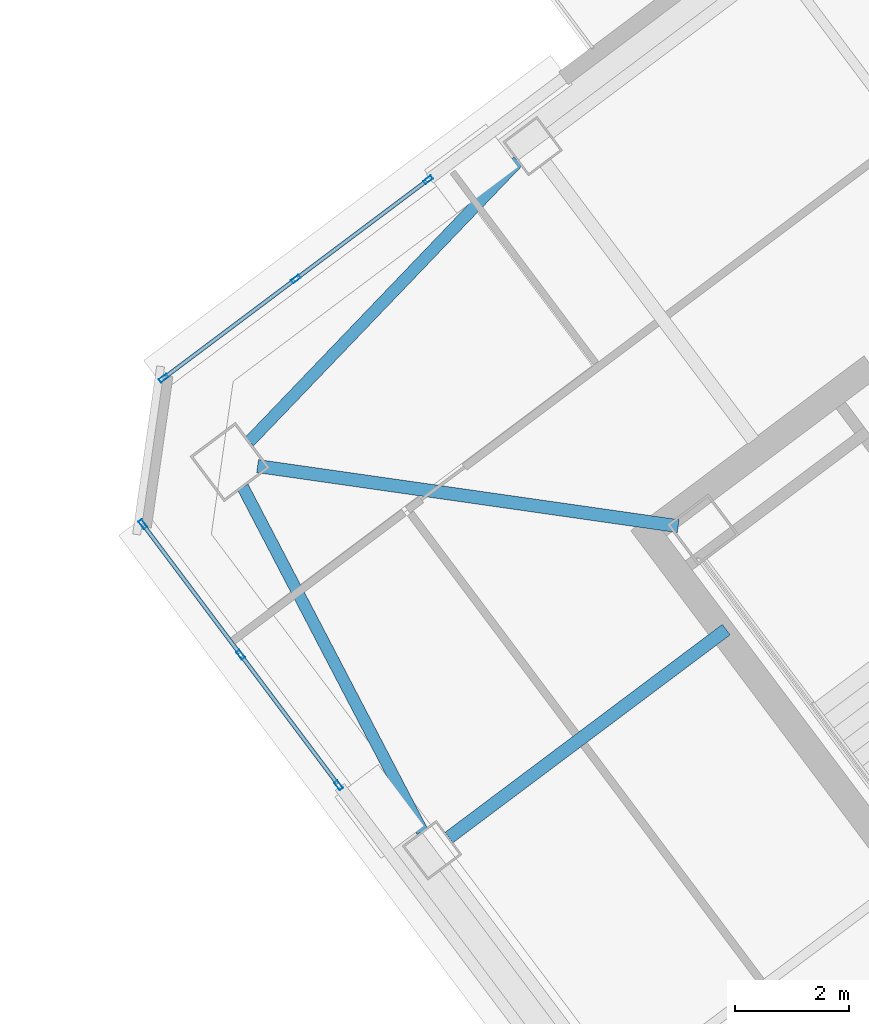
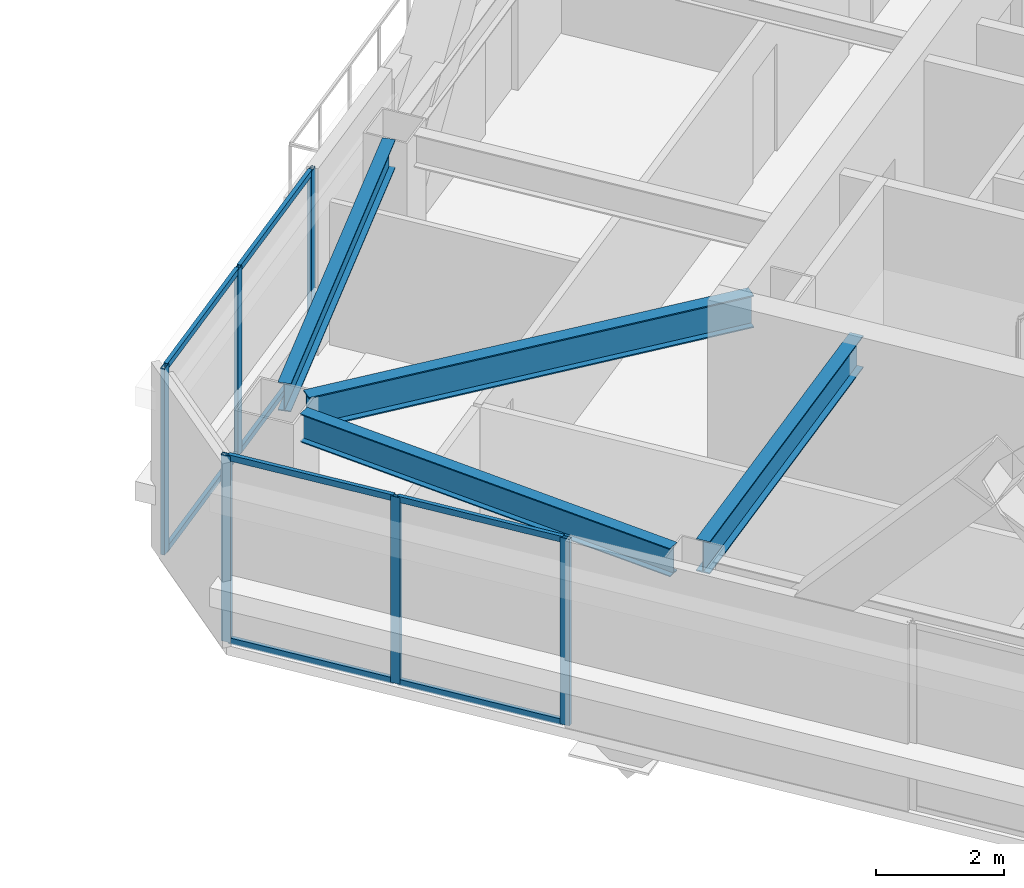
# One storey, part 21 of 39: 14 members, 4 beams, 2 elements without a shape of their own.
"""IFC4 building model written with IfcOpenShell, lengths in metres."""

from ifc_helpers import new_model, si_unit, direction, frame, origin, origin_2d, place, context, subcontext, project, spatial, hollow_rectangle, i_section, extrude, material, material_profile, profile_set, type_object, element, aggregate, save


model = new_model("IFC4")

# Units and contexts
model_context = context("Model", 3, precision=1e-05, world=origin(), true_north=direction((0.0, 1.0)))
body_context = subcontext(model_context, "Body", "Model", "MODEL_VIEW")
ifc_project = project(units=[si_unit("LENGTHUNIT", "METRE"), si_unit("AREAUNIT", "SQUARE_METRE"), si_unit("VOLUMEUNIT", "CUBIC_METRE"), si_unit("PLANEANGLEUNIT", "RADIAN"), si_unit("MASSUNIT", "GRAM", prefix="KILO")], contexts=[model_context])

# Site, building, storey
site_placement = place(None, origin())
site = spatial("IfcSite", under=ifc_project, at=site_placement, CompositionType="ELEMENT")
building_placement = place(site_placement, origin())
building = spatial("IfcBuilding", under=site, at=building_placement, Name="Tashvorn Skyway Center", CompositionType="ELEMENT")
storey_placement = place(building_placement, frame((0.0, 0.0, 239.699951171875)))
storey = spatial("IfcBuildingStorey", under=building, at=storey_placement, Name="L65", CompositionType="ELEMENT", Elevation=239.699951171875)

# Beams
ifc_material_1 = material(Name="Steel ASTM A992 Grade 50", Category="steel")
ifc_material_profile_1 = material_profile(ifc_material_1, i_section(OverallWidth=0.22998046875, OverallDepth=0.616943359375, WebThickness=0.01318359375, FlangeThickness=0.022216796875, at=origin_2d()), Name="W24X94")
ifc_profile_set_1 = profile_set([ifc_material_profile_1], Name="Steel ASTM A992 Grade 50")
beam_type_1 = type_object("IfcBeamType", Name="BM-BEAM-W24X94", PredefinedType="BEAM", material=ifc_profile_set_1)
beam_1_placement = place(storey_placement, frame((96.2900390625, 34.530029296875, 3.0615234375), z_axis=(0.989948187102, -0.141430501853, 0.0), x_axis=(0.141430501853, 0.989948187102, 0.0)))
element("IfcBeam", 1, at=beam_1_placement, inside=storey, type_object=beam_type_1, Name="Tower 2 L65 Primary Floor Girder MC-NW", PredefinedType="BEAM", context=body_context, shape_type="SweptSolid", body=[
    extrude(i_section(OverallWidth=0.22998046875, OverallDepth=0.616943359375, WebThickness=0.01318359375, FlangeThickness=0.022216796875, at=origin_2d()), origin(), (0.0, 0.0, 1.0), 7.474609375),
])
beam_2_placement = place(storey_placement, frame((99.656005859375, 27.991943359375, 3.0615234375), z_axis=(0.799980788524, 0.600025614447, 0.0), x_axis=(-0.600025614447, 0.799980788524, 0.0)))
element("IfcBeam", 2, at=beam_2_placement, inside=storey, type_object=beam_type_1, Name="Tower 2 L65 Primary Floor Girder FC-W1", PredefinedType="BEAM", context=body_context, shape_type="SweptSolid", body=[
    extrude(i_section(OverallWidth=0.22998046875, OverallDepth=0.616943359375, WebThickness=0.01318359375, FlangeThickness=0.022216796875, at=origin_2d()), origin(), (0.0, 0.0, 1.0), 6.10009765625),
])
ifc_material_profile_2 = material_profile(ifc_material_1, i_section(OverallWidth=0.2109375, OverallDepth=0.5390625, WebThickness=0.01171875, FlangeThickness=0.018798828125, at=origin_2d()), Name="W21X73")
ifc_profile_set_2 = profile_set([ifc_material_profile_2], Name="Steel ASTM A992 Grade 50")
beam_type_2 = type_object("IfcBeamType", Name="BM-SPANDREL-W21X73", PredefinedType="SPANDREL", material=ifc_profile_set_2)
for number, where, z_axis, x_axis, name in (
    (3, (100.8740234375, 39.892822265625, 3.1005859375), (-0.69202323926, -0.72187522213, 0.0), (0.72187522213, -0.69202323926, 0.0), "Tower 2 L65 Spandrel Beam 09"),
    (4, (96.02880859375, 34.1611328125, 3.1005859375), (0.462204749472, -0.886773234579, 0.0), (0.886773234579, 0.462204749472, 0.0), "Tower 2 L65 Spandrel Beam 10"),
):
    element("IfcBeam", number, at=place(storey_placement, frame(where, z_axis=z_axis, x_axis=x_axis)), inside=storey, type_object=beam_type_2, Name=name, PredefinedType="SPANDREL", context=body_context, shape_type="SweptSolid", body=[
        extrude(i_section(OverallWidth=0.2109375, OverallDepth=0.5390625, WebThickness=0.01171875, FlangeThickness=0.018798828125, at=origin_2d()), origin(), (0.0, 0.0, 1.0), 6.837158203125),
    ])

# Curtain wall, members
ifc_material_2 = material(Name="Thermally broken bronze-anodized aluminium 6063-T6", Category="aluminium")
curtain_wall_type = type_object("IfcCurtainWallType", Name="CW-CW-Z5", PredefinedType="NOTDEFINED", material=ifc_material_2)
curtain_wall_1_placement = place(storey_placement, origin())
curtain_wall_1 = element("IfcCurtainWall", 5, at=curtain_wall_1_placement, inside=storey, type_object=curtain_wall_type, Name="Tower 2 L65 West Unitised Curtain Wall Glazing Group 3", PredefinedType="NOTDEFINED")
ifc_material_profile_3 = material_profile(ifc_material_2, hollow_rectangle(XDim=0.070068359375, YDim=0.1650390625, WallThickness=0.00390625, at=origin_2d()), Name="ALU-MULL-70x165")
ifc_profile_set_3 = profile_set([ifc_material_profile_3], Name="Thermally broken bronze-anodized aluminium 6063-T6")
member_type_1 = type_object("IfcMemberType", Name="CWM-CW-Z5", PredefinedType="MULLION", material=ifc_profile_set_3)
member_1_placement = place(storey_placement, frame((97.715087890625, 28.913330078125, 0.0), z_axis=(0.0, 0.0, 1.0), x_axis=(-0.800002064209, -0.599997247712, 0.0)))
member_1 = element("IfcMember", 6, at=member_1_placement, type_object=member_type_1, Name="CW-Z5 mullion 1", PredefinedType="MULLION", context=body_context, shape_type="SweptSolid", body=[
    extrude(hollow_rectangle(XDim=0.070068359375, YDim=0.1650390625, WallThickness=0.00390625, at=origin_2d()), origin(), (0.0, 0.0, 1.0), 3.550048828125),
])
member_2_placement = place(storey_placement, frame((95.991943359375, 31.210693359375, 0.0), z_axis=(0.0, 0.0, 1.0), x_axis=(-0.800002064209, -0.599997247712, 0.0)))
member_2 = element("IfcMember", 7, at=member_2_placement, type_object=member_type_1, Name="CW-Z5 mullion 2", PredefinedType="MULLION", context=body_context, shape_type="SweptSolid", body=[
    extrude(hollow_rectangle(XDim=0.070068359375, YDim=0.1650390625, WallThickness=0.00390625, at=origin_2d()), origin(), (0.0, 0.0, 1.0), 3.550048828125),
])
member_3_placement = place(storey_placement, frame((94.26904296875, 33.508056640625, 0.0), z_axis=(0.0, 0.0, 1.0), x_axis=(-0.800002064209, -0.599997247712, 0.0)))
member_3 = element("IfcMember", 8, at=member_3_placement, type_object=member_type_1, Name="CW-Z5 mullion 3", PredefinedType="MULLION", context=body_context, shape_type="SweptSolid", body=[
    extrude(hollow_rectangle(XDim=0.070068359375, YDim=0.1650390625, WallThickness=0.00390625, at=origin_2d()), origin(), (0.0, 0.0, 1.0), 3.550048828125),
])

curtain_wall_2_placement = place(storey_placement, origin())
curtain_wall_2 = element("IfcCurtainWall", 9, at=curtain_wall_2_placement, inside=storey, type_object=curtain_wall_type, Name="Tower 2 L65 North Curtain Wall L Glazing Group 1", PredefinedType="NOTDEFINED")
member_4_placement = place(storey_placement, frame((94.635986328125, 36.076904296875, 0.0), z_axis=(0.0, 0.0, 1.0), x_axis=(-0.600002718021, 0.799997961477, 0.0)))
member_4 = element("IfcMember", 10, at=member_4_placement, type_object=member_type_1, Name="CW-Z5 mullion 1", PredefinedType="MULLION", context=body_context, shape_type="SweptSolid", body=[
    extrude(hollow_rectangle(XDim=0.070068359375, YDim=0.1650390625, WallThickness=0.00390625, at=origin_2d()), origin(), (0.0, 0.0, 1.0), 3.550048828125),
])
member_5_placement = place(storey_placement, frame((96.962646484375, 37.822021484375, 0.0), z_axis=(0.0, 0.0, 1.0), x_axis=(-0.600002718021, 0.799997961477, 0.0)))
member_5 = element("IfcMember", 11, at=member_5_placement, type_object=member_type_1, Name="CW-Z5 mullion 2", PredefinedType="MULLION", context=body_context, shape_type="SweptSolid", body=[
    extrude(hollow_rectangle(XDim=0.070068359375, YDim=0.1650390625, WallThickness=0.00390625, at=origin_2d()), origin(), (0.0, 0.0, 1.0), 3.550048828125),
])
member_6_placement = place(storey_placement, frame((99.289306640625, 39.56689453125, 0.0), z_axis=(0.0, 0.0, 1.0), x_axis=(-0.600002718021, 0.799997961477, 0.0)))
member_6 = element("IfcMember", 12, at=member_6_placement, type_object=member_type_1, Name="CW-Z5 mullion 3", PredefinedType="MULLION", context=body_context, shape_type="SweptSolid", body=[
    extrude(hollow_rectangle(XDim=0.070068359375, YDim=0.1650390625, WallThickness=0.00390625, at=origin_2d()), origin(), (0.0, 0.0, 1.0), 3.550048828125),
])

# Member
ifc_material_profile_4 = material_profile(ifc_material_2, hollow_rectangle(XDim=0.070068359375, YDim=0.114990234375, WallThickness=0.00390625, at=origin_2d()), Name="ALU-TRAN-70x115")
ifc_profile_set_4 = profile_set([ifc_material_profile_4], Name="Thermally broken bronze-anodized aluminium 6063-T6")
member_type_2 = type_object("IfcMemberType", Name="CWT-CW-Z5", PredefinedType="USERDEFINED", material=ifc_profile_set_4)
member_7_placement = place(storey_placement, frame((97.694091796875, 28.94140625, 0.03515625), z_axis=(-0.600055769046, 0.799958170178, 0.0), x_axis=(-0.799958170178, -0.600055769046, 0.0)))
member_7 = element("IfcMember", 13, at=member_7_placement, type_object=member_type_2, Name="CW-Z5 transom 1.1", ObjectType="TRANSOM", PredefinedType="USERDEFINED", context=body_context, shape_type="SweptSolid", body=[
    extrude(hollow_rectangle(XDim=0.070068359375, YDim=0.114990234375, WallThickness=0.00390625, at=origin_2d()), origin(), (0.0, 0.0, 1.0), 2.8017578125),
])

member_8_placement = place(storey_placement, frame((97.694091796875, 28.94140625, 3.51513671875), z_axis=(-0.600055769046, 0.799958170178, 0.0), x_axis=(-0.799958170178, -0.600055769046, 0.0)))
member_8 = element("IfcMember", 14, at=member_8_placement, type_object=member_type_2, Name="CW-Z5 transom 1.2", ObjectType="TRANSOM", PredefinedType="USERDEFINED", context=body_context, shape_type="SweptSolid", body=[
    extrude(hollow_rectangle(XDim=0.070068359375, YDim=0.114990234375, WallThickness=0.00390625, at=origin_2d()), origin(), (0.0, 0.0, 1.0), 2.8017578125),
])

member_9_placement = place(storey_placement, frame((95.970947265625, 31.23876953125, 0.03515625), z_axis=(-0.6, 0.8, 0.0), x_axis=(-0.8, -0.6, 0.0)))
member_9 = element("IfcMember", 15, at=member_9_placement, type_object=member_type_2, Name="CW-Z5 transom 2.1", ObjectType="TRANSOM", PredefinedType="USERDEFINED", context=body_context, shape_type="SweptSolid", body=[
    extrude(hollow_rectangle(XDim=0.070068359375, YDim=0.114990234375, WallThickness=0.00390625, at=origin_2d()), origin(), (0.0, 0.0, 1.0), 2.801513671875),
])

member_10_placement = place(storey_placement, frame((95.970947265625, 31.23876953125, 3.51513671875), z_axis=(-0.6, 0.8, 0.0), x_axis=(-0.8, -0.6, 0.0)))
member_10 = element("IfcMember", 16, at=member_10_placement, type_object=member_type_2, Name="CW-Z5 transom 2.2", ObjectType="TRANSOM", PredefinedType="USERDEFINED", context=body_context, shape_type="SweptSolid", body=[
    extrude(hollow_rectangle(XDim=0.070068359375, YDim=0.114990234375, WallThickness=0.00390625, at=origin_2d()), origin(), (0.0, 0.0, 1.0), 2.801513671875),
])

aggregate(curtain_wall_1, [member_1, member_2, member_3, member_7, member_8, member_9, member_10])

member_11_placement = place(storey_placement, frame((94.6640625, 36.097900390625, 0.03515625), z_axis=(0.799958709914, 0.600055049501, 0.0), x_axis=(-0.600055049501, 0.799958709914, 0.0)))
member_11 = element("IfcMember", 17, at=member_11_placement, type_object=member_type_2, Name="CW-Z5 transom 1.1", ObjectType="TRANSOM", PredefinedType="USERDEFINED", context=body_context, shape_type="SweptSolid", body=[
    extrude(hollow_rectangle(XDim=0.070068359375, YDim=0.114990234375, WallThickness=0.00390625, at=origin_2d()), origin(), (0.0, 0.0, 1.0), 2.83837890625),
])

member_12_placement = place(storey_placement, frame((94.6640625, 36.097900390625, 3.51513671875), z_axis=(0.799958709914, 0.600055049501, 0.0), x_axis=(-0.600055049501, 0.799958709914, 0.0)))
member_12 = element("IfcMember", 18, at=member_12_placement, type_object=member_type_2, Name="CW-Z5 transom 1.2", ObjectType="TRANSOM", PredefinedType="USERDEFINED", context=body_context, shape_type="SweptSolid", body=[
    extrude(hollow_rectangle(XDim=0.070068359375, YDim=0.114990234375, WallThickness=0.00390625, at=origin_2d()), origin(), (0.0, 0.0, 1.0), 2.83837890625),
])

member_13_placement = place(storey_placement, frame((96.99072265625, 37.843017578125, 0.03515625), z_axis=(0.8, 0.6, 0.0), x_axis=(-0.6, 0.8, 0.0)))
member_13 = element("IfcMember", 19, at=member_13_placement, type_object=member_type_2, Name="CW-Z5 transom 2.1", ObjectType="TRANSOM", PredefinedType="USERDEFINED", context=body_context, shape_type="SweptSolid", body=[
    extrude(hollow_rectangle(XDim=0.070068359375, YDim=0.114990234375, WallThickness=0.00390625, at=origin_2d()), origin(), (0.0, 0.0, 1.0), 2.838134765625),
])

member_14_placement = place(storey_placement, frame((96.99072265625, 37.843017578125, 3.51513671875), z_axis=(0.8, 0.6, 0.0), x_axis=(-0.6, 0.8, 0.0)))
member_14 = element("IfcMember", 20, at=member_14_placement, type_object=member_type_2, Name="CW-Z5 transom 2.2", ObjectType="TRANSOM", PredefinedType="USERDEFINED", context=body_context, shape_type="SweptSolid", body=[
    extrude(hollow_rectangle(XDim=0.070068359375, YDim=0.114990234375, WallThickness=0.00390625, at=origin_2d()), origin(), (0.0, 0.0, 1.0), 2.838134765625),
])

aggregate(curtain_wall_2, [member_4, member_5, member_6, member_11, member_12, member_13, member_14])

save(model, "model.ifc")
